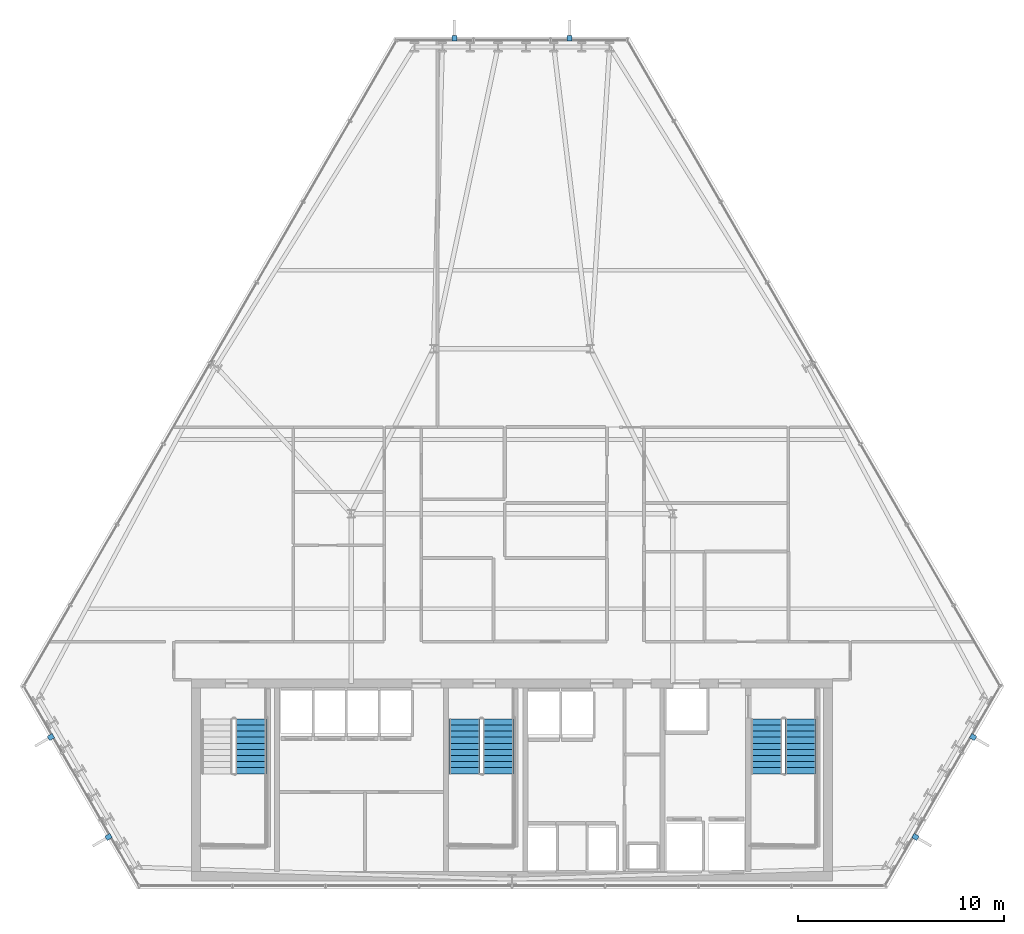
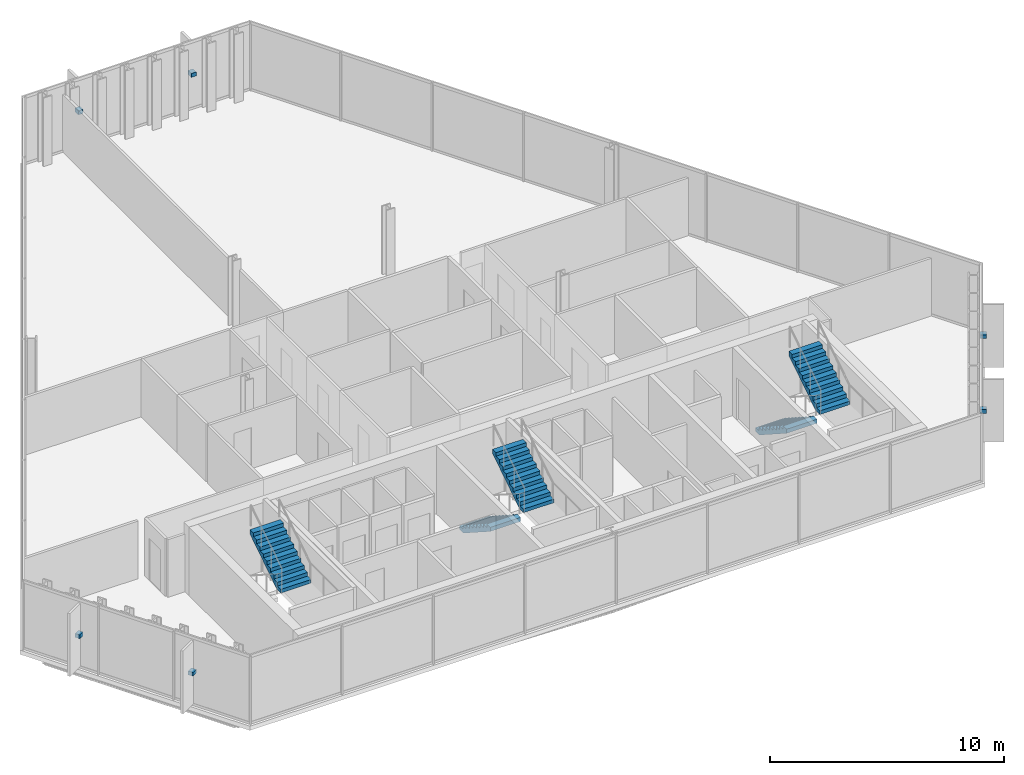
# One storey, part 29 of 33: 6 discrete accessories, 5 stair flights, 3 elements without a shape of their own.
"""IFC4 building model written with IfcOpenShell, lengths in metres."""

from ifc_helpers import new_model, si_unit, direction, frame, origin, origin_2d, place, context, subcontext, project, spatial, polyline, rectangle, outline, extrude, material, type_object, element, aggregate, save


model = new_model("IFC4")

# Units and contexts
model_context = context("Model", 3, precision=1e-05, world=origin(), true_north=direction((0.0, 1.0)))
body_context = subcontext(model_context, "Body", "Model", "MODEL_VIEW")
ifc_project = project(units=[si_unit("LENGTHUNIT", "METRE"), si_unit("AREAUNIT", "SQUARE_METRE"), si_unit("VOLUMEUNIT", "CUBIC_METRE"), si_unit("PLANEANGLEUNIT", "RADIAN"), si_unit("MASSUNIT", "GRAM", prefix="KILO")], contexts=[model_context])

# Site, building, storey
site_placement = place(None, origin())
site = spatial("IfcSite", under=ifc_project, at=site_placement, CompositionType="ELEMENT")
building_placement = place(site_placement, origin())
building = spatial("IfcBuilding", under=site, at=building_placement, Name="Ndaravel Arena Tower", CompositionType="ELEMENT")
storey_placement = place(building_placement, frame((0.0, 0.0, 153.60009765625)))
storey = spatial("IfcBuildingStorey", under=building, at=storey_placement, Name="L36", CompositionType="ELEMENT", Elevation=153.60009765625)

# Stair, stair flight
ifc_material_1 = material(Name="Concrete C40/50", Category="concrete")
stair_type = type_object("IfcStairType", Name="STAIR-CORE-HT", PredefinedType="HALF_TURN_STAIR", material=ifc_material_1)
stair_1_placement = place(storey_placement, origin())
stair_1 = element("IfcStair", 1, at=stair_1_placement, inside=storey, type_object=stair_type, Name="L36 ST-1", PredefinedType="HALF_TURN_STAIR")
ifc_material_2 = material(Name="Concrete C40/50", Category="concrete")
stair_flight_type = type_object("IfcStairFlightType", Name="SFLIGHT-CORE-1680", PredefinedType="STRAIGHT", material=ifc_material_2)
stair_flight_1_placement = place(storey_placement, frame((29.340087890625, 10.594970703125, 1.89990234375), z_axis=(0.0, 0.0, 1.0), x_axis=(0.0, 1.0, 0.0)))
stair_flight_1 = element("IfcStairFlight", 2, at=stair_flight_1_placement, type_object=stair_flight_type, Name="ST-1 flight 2", NumberOfRisers=10, NumberOfTreads=9, PredefinedType="STRAIGHT", RiserHeight=0.19, TreadLength=0.295, context=body_context, shape_type="SweptSolid", body=[
    extrude(outline(polyline([(0.0, 0.0), (0.0, 0.18994140625), (0.294921875, 0.18994140625), (0.294921875, 0.3798828125), (0.590087890625, 0.3798828125), (0.590087890625, 0.570068359375), (0.885009765625, 0.570068359375), (0.885009765625, 0.760009765625), (1.179931640625, 0.760009765625), (1.179931640625, 0.949951171875), (1.47509765625, 0.949951171875), (1.47509765625, 1.139892578125), (1.77001953125, 1.139892578125), (1.77001953125, 1.330078125), (2.06494140625, 1.330078125), (2.06494140625, 1.52001953125), (2.360107421875, 1.52001953125), (2.360107421875, 1.7099609375), (2.655029296875, 1.7099609375), (2.655029296875, 1.89990234375), (2.655029296875, 1.49609375), (0.332275390625, 0.0), (0.0, 0.0)])), frame((0.0, 0.75, 0.0), z_axis=(0.0, -1.0, 0.0), x_axis=(1.0, 0.0, 0.0)), (0.0, 0.0, 1.0), 1.5),
])
aggregate(stair_1, [stair_flight_1])

# Stair, stair flights
stair_2_placement = place(storey_placement, origin())
stair_2 = element("IfcStair", 3, at=stair_2_placement, inside=storey, type_object=stair_type, Name="L36 ST-2", PredefinedType="HALF_TURN_STAIR")
stair_flight_2_placement = place(storey_placement, frame((39.699951171875, 13.25, 0.0), z_axis=(0.0, 0.0, 1.0), x_axis=(0.0, -1.0, 0.0)))
stair_flight_2 = element("IfcStairFlight", 4, at=stair_flight_2_placement, type_object=stair_flight_type, Name="ST-2 flight 1", NumberOfRisers=10, NumberOfTreads=9, PredefinedType="STRAIGHT", RiserHeight=0.19, TreadLength=0.295, context=body_context, shape_type="SweptSolid", body=[
    extrude(outline(polyline([(0.0, 0.0), (0.0, 0.18994140625), (0.294921875, 0.18994140625), (0.294921875, 0.3798828125), (0.590087890625, 0.3798828125), (0.590087890625, 0.570068359375), (0.885009765625, 0.570068359375), (0.885009765625, 0.760009765625), (1.179931640625, 0.760009765625), (1.179931640625, 0.949951171875), (1.47509765625, 0.949951171875), (1.47509765625, 1.139892578125), (1.77001953125, 1.139892578125), (1.77001953125, 1.330078125), (2.06494140625, 1.330078125), (2.06494140625, 1.52001953125), (2.360107421875, 1.52001953125), (2.360107421875, 1.7099609375), (2.655029296875, 1.7099609375), (2.655029296875, 1.89990234375), (2.655029296875, 1.49609375), (0.332275390625, 0.0), (0.0, 0.0)])), frame((0.0, 0.75, 0.0), z_axis=(0.0, -1.0, 0.0), x_axis=(1.0, 0.0, 0.0)), (0.0, 0.0, 1.0), 1.5),
])
stair_flight_3_placement = place(storey_placement, frame((41.340087890625, 10.594970703125, 1.89990234375), z_axis=(0.0, 0.0, 1.0), x_axis=(0.0, 1.0, 0.0)))
stair_flight_3 = element("IfcStairFlight", 5, at=stair_flight_3_placement, type_object=stair_flight_type, Name="ST-2 flight 2", NumberOfRisers=10, NumberOfTreads=9, PredefinedType="STRAIGHT", RiserHeight=0.19, TreadLength=0.295, context=body_context, shape_type="SweptSolid", body=[
    extrude(outline(polyline([(0.0, 0.0), (0.0, 0.18994140625), (0.294921875, 0.18994140625), (0.294921875, 0.3798828125), (0.590087890625, 0.3798828125), (0.590087890625, 0.570068359375), (0.885009765625, 0.570068359375), (0.885009765625, 0.760009765625), (1.179931640625, 0.760009765625), (1.179931640625, 0.949951171875), (1.47509765625, 0.949951171875), (1.47509765625, 1.139892578125), (1.77001953125, 1.139892578125), (1.77001953125, 1.330078125), (2.06494140625, 1.330078125), (2.06494140625, 1.52001953125), (2.360107421875, 1.52001953125), (2.360107421875, 1.7099609375), (2.655029296875, 1.7099609375), (2.655029296875, 1.89990234375), (2.655029296875, 1.49609375), (0.332275390625, 0.0), (0.0, 0.0)])), frame((0.0, 0.75, 0.0), z_axis=(0.0, -1.0, 0.0), x_axis=(1.0, 0.0, 0.0)), (0.0, 0.0, 1.0), 1.5),
])
aggregate(stair_2, [stair_flight_2, stair_flight_3])

stair_3_placement = place(storey_placement, origin())
stair_3 = element("IfcStair", 6, at=stair_3_placement, inside=storey, type_object=stair_type, Name="L36 ST-3", PredefinedType="HALF_TURN_STAIR")
stair_flight_4_placement = place(storey_placement, frame((54.35009765625, 13.25, 0.0), z_axis=(0.0, 0.0, 1.0), x_axis=(0.0, -1.0, 0.0)))
stair_flight_4 = element("IfcStairFlight", 7, at=stair_flight_4_placement, type_object=stair_flight_type, Name="ST-3 flight 1", NumberOfRisers=10, NumberOfTreads=9, PredefinedType="STRAIGHT", RiserHeight=0.19, TreadLength=0.295, context=body_context, shape_type="SweptSolid", body=[
    extrude(outline(polyline([(0.0, 0.0), (0.0, 0.18994140625), (0.294921875, 0.18994140625), (0.294921875, 0.3798828125), (0.590087890625, 0.3798828125), (0.590087890625, 0.570068359375), (0.885009765625, 0.570068359375), (0.885009765625, 0.760009765625), (1.179931640625, 0.760009765625), (1.179931640625, 0.949951171875), (1.47509765625, 0.949951171875), (1.47509765625, 1.139892578125), (1.77001953125, 1.139892578125), (1.77001953125, 1.330078125), (2.06494140625, 1.330078125), (2.06494140625, 1.52001953125), (2.360107421875, 1.52001953125), (2.360107421875, 1.7099609375), (2.655029296875, 1.7099609375), (2.655029296875, 1.89990234375), (2.655029296875, 1.49609375), (0.332275390625, 0.0), (0.0, 0.0)])), frame((0.0, 0.75, 0.0), z_axis=(0.0, -1.0, 0.0), x_axis=(1.0, 0.0, 0.0)), (0.0, 0.0, 1.0), 1.5),
])
stair_flight_5_placement = place(storey_placement, frame((55.989990234375, 10.594970703125, 1.89990234375), z_axis=(0.0, 0.0, 1.0), x_axis=(0.0, 1.0, 0.0)))
stair_flight_5 = element("IfcStairFlight", 8, at=stair_flight_5_placement, type_object=stair_flight_type, Name="ST-3 flight 2", NumberOfRisers=10, NumberOfTreads=9, PredefinedType="STRAIGHT", RiserHeight=0.19, TreadLength=0.295, context=body_context, shape_type="SweptSolid", body=[
    extrude(outline(polyline([(0.0, 0.0), (0.0, 0.18994140625), (0.294921875, 0.18994140625), (0.294921875, 0.3798828125), (0.590087890625, 0.3798828125), (0.590087890625, 0.570068359375), (0.885009765625, 0.570068359375), (0.885009765625, 0.760009765625), (1.179931640625, 0.760009765625), (1.179931640625, 0.949951171875), (1.47509765625, 0.949951171875), (1.47509765625, 1.139892578125), (1.77001953125, 1.139892578125), (1.77001953125, 1.330078125), (2.06494140625, 1.330078125), (2.06494140625, 1.52001953125), (2.360107421875, 1.52001953125), (2.360107421875, 1.7099609375), (2.655029296875, 1.7099609375), (2.655029296875, 1.89990234375), (2.655029296875, 1.49609375), (0.332275390625, 0.0), (0.0, 0.0)])), frame((0.0, 0.75, 0.0), z_axis=(0.0, -1.0, 0.0), x_axis=(1.0, 0.0, 0.0)), (0.0, 0.0, 1.0), 1.5),
])
aggregate(stair_3, [stair_flight_4, stair_flight_5])

# Discrete accessories
ifc_material_3 = material(Name="Steel S355", Category="steel")
discrete_accessory_type = type_object("IfcDiscreteAccessoryType", Name="ACC-BRACKET-FIN", PredefinedType="BRACKET", material=ifc_material_3)
for number, where, z_axis, x_axis, name in (
    (9, (61.560302734375, 7.53125, 1.68994140625), (0.0, 0.0, 1.0), (0.866025403784, -0.5, 0.0), "L36 Mazeras Stone Solar Fin E2.1 Bracket"),
    (10, (64.356201171875, 12.3740234375, 1.68994140625), (0.0, 0.0, 1.0), (0.866025403784, -0.5, 0.0), "L36 Mazeras Stone Solar Fin E2.2 Bracket"),
    (11, (44.7958984375, 46.253662109375, 1.68994140625), (0.0, 0.0, 1.0), (0.0, 1.0, 0.0), "L36 Mazeras Stone Solar Fin E4.1 Bracket"),
    (12, (39.2041015625, 46.253662109375, 1.68994140625), (0.0, 0.0, 1.0), (0.0, 1.0, 0.0), "L36 Mazeras Stone Solar Fin E4.2 Bracket"),
    (13, (19.643798828125, 12.3740234375, 1.68994140625), (0.0, 0.0, 1.0), (-0.866025403784, -0.5, 0.0), "L36 Mazeras Stone Solar Fin E6.1 Bracket"),
    (14, (22.439697265625, 7.53125, 1.68994140625), (0.0, 0.0, 1.0), (-0.866025403784, -0.5, 0.0), "L36 Mazeras Stone Solar Fin E6.2 Bracket"),
):
    element("IfcDiscreteAccessory", number, at=place(storey_placement, frame(where, z_axis=z_axis, x_axis=x_axis)), inside=storey, type_object=discrete_accessory_type, Name=name, PredefinedType="BRACKET", context=body_context, shape_type="SweptSolid", body=[
        extrude(rectangle(XDim=0.280029296875, YDim=0.239990234375, at=origin_2d()), origin(), (0.0, 0.0, 1.0), 0.199951171875),
    ])

save(model, "model.ifc")
